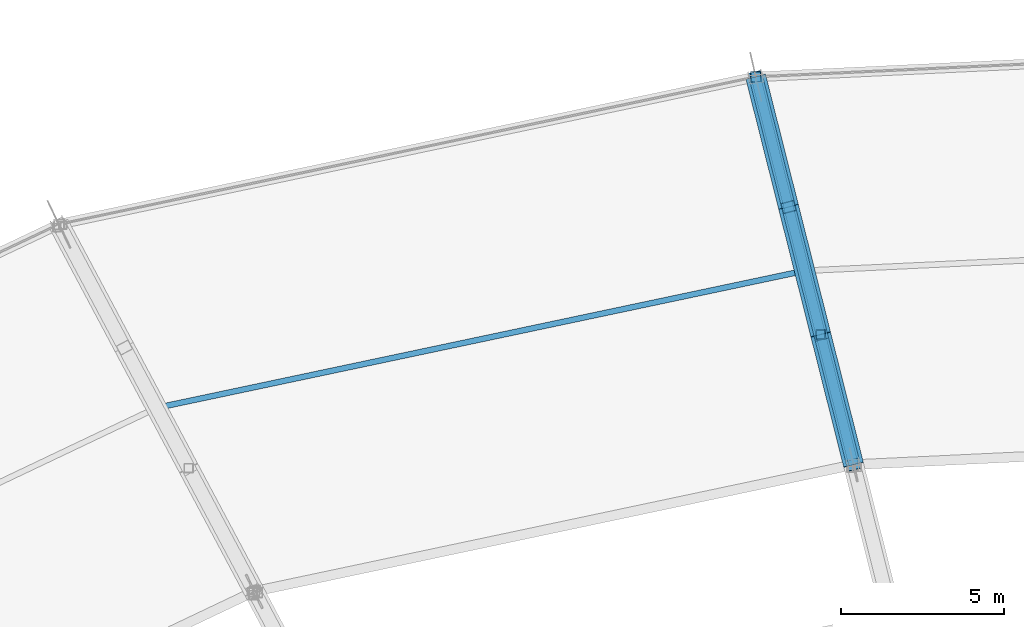
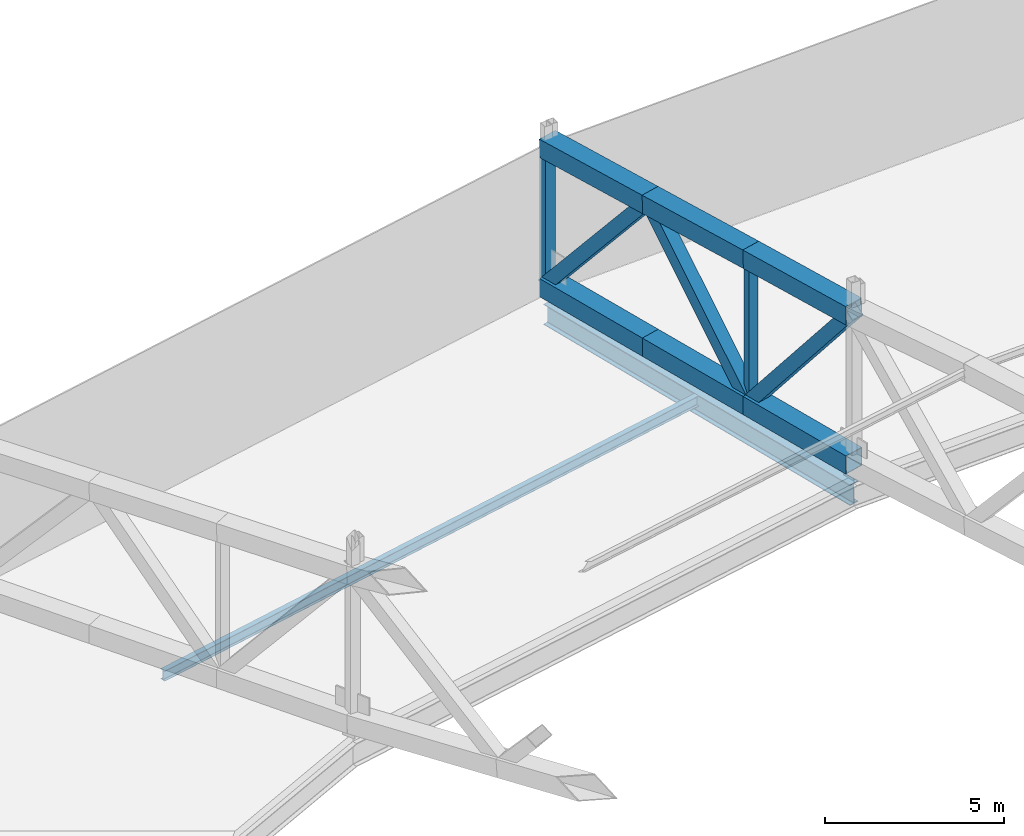
# One storey, part 81 of 162: 11 members, 2 beams.
"""IFC4 building model written with IfcOpenShell, lengths in metres."""

from ifc_helpers import new_model, si_unit, direction, frame, origin, origin_2d, place, context, subcontext, project, spatial, hollow_rectangle, i_section, extrude, material, material_profile, profile_set, type_object, element, save


model = new_model("IFC4")

# Units and contexts
model_context = context("Model", 3, precision=1e-05, world=origin(), true_north=direction((0.0, 1.0)))
body_context = subcontext(model_context, "Body", "Model", "MODEL_VIEW")
ifc_project = project(units=[si_unit("LENGTHUNIT", "METRE"), si_unit("AREAUNIT", "SQUARE_METRE"), si_unit("VOLUMEUNIT", "CUBIC_METRE"), si_unit("PLANEANGLEUNIT", "RADIAN"), si_unit("MASSUNIT", "GRAM", prefix="KILO")], contexts=[model_context])

# Site, building, storey
site_placement = place(None, origin())
site = spatial("IfcSite", under=ifc_project, at=site_placement, CompositionType="ELEMENT")
building_placement = place(site_placement, origin())
building = spatial("IfcBuilding", under=site, at=building_placement, Name="Kazemori Nagisa Stadium", CompositionType="ELEMENT")
storey_placement = place(building_placement, frame((0.0, 0.0, 36.719970703125)))
storey = spatial("IfcBuildingStorey", under=building, at=storey_placement, Name="RF", CompositionType="ELEMENT", Elevation=36.719970703125)

# Beams
ifc_material_1 = material(Name="Steel SN490B", Category="steel")
ifc_material_profile_1 = material_profile(ifc_material_1, i_section(OverallWidth=0.300048828125, OverallDepth=0.699951171875, WebThickness=0.012939453125, FlangeThickness=0.02392578125, FilletRadius=0.01806640625, at=origin_2d()), Name="H-700x300x13x24")
ifc_profile_set_1 = profile_set([ifc_material_profile_1], Name="Steel SN490B")
beam_type_1 = type_object("IfcBeamType", Name="Beam_BG-H700", PredefinedType="BEAM", material=ifc_profile_set_1)
beam_1_placement = place(storey_placement, frame((104.572265625, 175.088623046875, -0.6298828125), z_axis=(-0.244487324834, 0.969652488263, 0.0), x_axis=(-0.969652488263, -0.244487324834, 0.0)))
element("IfcBeam", 1, at=beam_1_placement, inside=storey, type_object=beam_type_1, Name="Radial girder BG-H700 RF R2-R3-09", PredefinedType="BEAM", context=body_context, shape_type="SweptSolid", body=[
    extrude(i_section(OverallWidth=0.300048828125, OverallDepth=0.699951171875, WebThickness=0.012939453125, FlangeThickness=0.02392578125, FilletRadius=0.01806640625, at=origin_2d()), origin(), (0.0, 0.0, 1.0), 12.2705078125),
])
ifc_material_profile_2 = material_profile(ifc_material_1, i_section(OverallWidth=0.175048828125, OverallDepth=0.35009765625, WebThickness=0.007080078125, FlangeThickness=0.010986328125, FilletRadius=0.012939453125, at=origin_2d()), Name="H-350x175x7x11")
ifc_profile_set_2 = profile_set([ifc_material_profile_2], Name="Steel SN490B")
beam_type_2 = type_object("IfcBeamType", Name="Beam_BJ-H350", PredefinedType="JOIST", material=ifc_profile_set_2)
beam_2_placement = place(storey_placement, frame((102.930419921875, 181.0078125, -0.455078125), z_axis=(-0.978344719644, -0.20698214789, 0.0), x_axis=(0.20698214789, -0.978344719644, 0.0)))
element("IfcBeam", 2, at=beam_2_placement, inside=storey, type_object=beam_type_2, Name="Outer bay joist BJ-H350 RF B09", PredefinedType="JOIST", context=body_context, shape_type="SweptSolid", body=[
    extrude(i_section(OverallWidth=0.175048828125, OverallDepth=0.35009765625, WebThickness=0.007080078125, FlangeThickness=0.010986328125, FilletRadius=0.012939453125, at=origin_2d()), origin(), (0.0, 0.0, 1.0), 20.03076171875),
])

# Members
ifc_material_2 = material(Name="Steel STKR490", Category="steel")
ifc_material_profile_3 = material_profile(ifc_material_2, hollow_rectangle(XDim=0.419921875, YDim=0.419921875, WallThickness=0.01611328125, at=origin_2d()), Name="SHS-420x420x16")
ifc_profile_set_3 = profile_set([ifc_material_profile_3], Name="Steel STKR490")
member_type_1 = type_object("IfcMemberType", Name="Member_TB-SHS420", PredefinedType="BRACE", material=ifc_profile_set_3)
member_1_placement = place(storey_placement, frame((101.572265625, 186.98681640625, 0.360107421875), z_axis=(0.1573210016, -0.623982765376, 0.76543818233), x_axis=(0.969655974534, 0.244473497644, 0.0)))
element("IfcMember", 3, at=member_1_placement, inside=storey, type_object=member_type_1, Name="Roof space truss diagonal RT-09-1", PredefinedType="BRACE", context=body_context, shape_type="SweptSolid", body=[
    extrude(hollow_rectangle(XDim=0.419921875, YDim=0.419921875, WallThickness=0.01611328125, at=origin_2d()), origin(), (0.0, 0.0, 1.0), 6.4013671875),
])
member_2_placement = place(storey_placement, frame((102.579345703125, 182.992431640625, 5.260009765625), z_axis=(0.156881185303, -0.622124423045, -0.76703943572), x_axis=(0.969645363657, 0.244515579744, 0.0)))
element("IfcMember", 4, at=member_2_placement, inside=storey, type_object=member_type_1, Name="Roof space truss diagonal RT-09-2", PredefinedType="BRACE", context=body_context, shape_type="SweptSolid", body=[
    extrude(hollow_rectangle(XDim=0.419921875, YDim=0.419921875, WallThickness=0.01611328125, at=origin_2d()), origin(), (0.0, 0.0, 1.0), 6.283935546875),
])
member_3_placement = place(storey_placement, frame((103.565185546875, 179.0830078125, 0.43994140625), z_axis=(0.153249104507, -0.607832387599, 0.779137022964), x_axis=(0.969655974534, 0.244473497644, 0.0)))
element("IfcMember", 5, at=member_3_placement, inside=storey, type_object=member_type_1, Name="Roof space truss diagonal RT-09-3", PredefinedType="BRACE", context=body_context, shape_type="SweptSolid", body=[
    extrude(hollow_rectangle(XDim=0.419921875, YDim=0.419921875, WallThickness=0.01611328125, at=origin_2d()), origin(), (0.0, 0.0, 1.0), 6.571533203125),
])
ifc_material_profile_4 = material_profile(ifc_material_2, hollow_rectangle(XDim=0.6201171875, YDim=0.6201171875, WallThickness=0.02197265625, at=origin_2d()), Name="SHS-620x620x22")
ifc_profile_set_4 = profile_set([ifc_material_profile_4], Name="Steel STKR490")
member_type_2 = type_object("IfcMemberType", Name="Member_TC-SHS620", PredefinedType="CHORD", material=ifc_profile_set_4)
member_4_placement = place(storey_placement, frame((101.572265625, 186.98681640625, 5.10009765625), z_axis=(0.244289501149, -0.968926188677, 0.038790211698), x_axis=(0.969655974534, 0.244473497644, 0.0)))
element("IfcMember", 6, at=member_4_placement, inside=storey, type_object=member_type_2, Name="Roof space truss top chord RT-09-1", PredefinedType="CHORD", context=body_context, shape_type="SweptSolid", body=[
    extrude(hollow_rectangle(XDim=0.6201171875, YDim=0.6201171875, WallThickness=0.02197265625, at=origin_2d()), origin(), (0.0, 0.0, 1.0), 4.12255859375),
])
member_5_placement = place(storey_placement, frame((101.572265625, 186.98681640625, 0.360107421875), z_axis=(0.244461950505, -0.969610175083, 0.009719214517), x_axis=(0.969655974534, 0.244473497644, 0.0)))
element("IfcMember", 7, at=member_5_placement, inside=storey, type_object=member_type_2, Name="Roof space truss bottom chord RT-09-1", PredefinedType="CHORD", context=body_context, shape_type="SweptSolid", body=[
    extrude(hollow_rectangle(XDim=0.6201171875, YDim=0.6201171875, WallThickness=0.02197265625, at=origin_2d()), origin(), (0.0, 0.0, 1.0), 4.11962890625),
])
member_6_placement = place(storey_placement, frame((102.579345703125, 182.992431640625, 5.260009765625), z_axis=(0.244323479661, -0.968883575982, 0.039631470822), x_axis=(0.969645363657, 0.244515579744, 0.0)))
element("IfcMember", 8, at=member_6_placement, inside=storey, type_object=member_type_2, Name="Roof space truss top chord RT-09-2", PredefinedType="CHORD", context=body_context, shape_type="SweptSolid", body=[
    extrude(hollow_rectangle(XDim=0.6201171875, YDim=0.6201171875, WallThickness=0.02197265625, at=origin_2d()), origin(), (0.0, 0.0, 1.0), 4.034912109375),
])
member_7_placement = place(storey_placement, frame((102.579345703125, 182.992431640625, 0.400146484375), z_axis=(0.244503670054, -0.969598134864, 0.009869761817), x_axis=(0.969645363657, 0.244515579744, 0.0)))
element("IfcMember", 9, at=member_7_placement, inside=storey, type_object=member_type_2, Name="Roof space truss bottom chord RT-09-2", PredefinedType="CHORD", context=body_context, shape_type="SweptSolid", body=[
    extrude(hollow_rectangle(XDim=0.6201171875, YDim=0.6201171875, WallThickness=0.02197265625, at=origin_2d()), origin(), (0.0, 0.0, 1.0), 4.031982421875),
])
member_8_placement = place(storey_placement, frame((103.565185546875, 179.0830078125, 5.419921875), z_axis=(0.244332157838, -0.969095378035, 0.033999189963), x_axis=(0.969655974534, 0.244473497644, 0.0)))
element("IfcMember", 10, at=member_8_placement, inside=storey, type_object=member_type_2, Name="Roof space truss top chord RT-09-3", PredefinedType="CHORD", context=body_context, shape_type="SweptSolid", body=[
    extrude(hollow_rectangle(XDim=0.6201171875, YDim=0.6201171875, WallThickness=0.02197265625, at=origin_2d()), origin(), (0.0, 0.0, 1.0), 4.121826171875),
])
member_9_placement = place(storey_placement, frame((103.565185546875, 179.0830078125, 0.43994140625), z_axis=(0.244461950505, -0.969610175083, 0.009719214517), x_axis=(0.969655974534, 0.244473497644, 0.0)))
element("IfcMember", 11, at=member_9_placement, inside=storey, type_object=member_type_2, Name="Roof space truss bottom chord RT-09-3", PredefinedType="CHORD", context=body_context, shape_type="SweptSolid", body=[
    extrude(hollow_rectangle(XDim=0.6201171875, YDim=0.6201171875, WallThickness=0.02197265625, at=origin_2d()), origin(), (0.0, 0.0, 1.0), 4.11962890625),
])
ifc_material_profile_5 = material_profile(ifc_material_2, hollow_rectangle(XDim=0.280029296875, YDim=0.280029296875, WallThickness=0.010009765625, at=origin_2d()), Name="SHS-280x280x10")
ifc_profile_set_5 = profile_set([ifc_material_profile_5], Name="Steel STKR490")
member_type_3 = type_object("IfcMemberType", Name="Member_TS-SHS280", PredefinedType="STRUT", material=ifc_profile_set_5)
member_10_placement = place(storey_placement, frame((103.565185546875, 179.0830078125, 0.43994140625), z_axis=(0.0, 0.0, 1.0), x_axis=(1.0, 0.0, 0.0)))
element("IfcMember", 12, at=member_10_placement, inside=storey, type_object=member_type_3, Name="Roof space truss strut RT-09-3", PredefinedType="STRUT", context=body_context, shape_type="SweptSolid", body=[
    extrude(hollow_rectangle(XDim=0.280029296875, YDim=0.280029296875, WallThickness=0.010009765625, at=origin_2d()), origin(), (0.0, 0.0, 1.0), 4.97998046875),
])
ifc_material_profile_6 = material_profile(ifc_material_2, hollow_rectangle(XDim=0.320068359375, YDim=0.320068359375, WallThickness=0.011962890625, at=origin_2d()), Name="SHS-320x320x12")
ifc_profile_set_6 = profile_set([ifc_material_profile_6], Name="Steel STKR490")
member_type_4 = type_object("IfcMemberType", Name="Member_TS-SHS320", PredefinedType="STRUT", material=ifc_profile_set_6)
member_11_placement = place(storey_placement, frame((101.572265625, 186.98681640625, 0.360107421875), z_axis=(0.0, 0.0, 1.0), x_axis=(1.0, 0.0, 0.0)))
element("IfcMember", 13, at=member_11_placement, inside=storey, type_object=member_type_4, Name="Roof space truss strut RT-09-1", PredefinedType="STRUT", context=body_context, shape_type="SweptSolid", body=[
    extrude(hollow_rectangle(XDim=0.320068359375, YDim=0.320068359375, WallThickness=0.011962890625, at=origin_2d()), origin(), (0.0, 0.0, 1.0), 4.739990234375),
])

save(model, "model.ifc")
